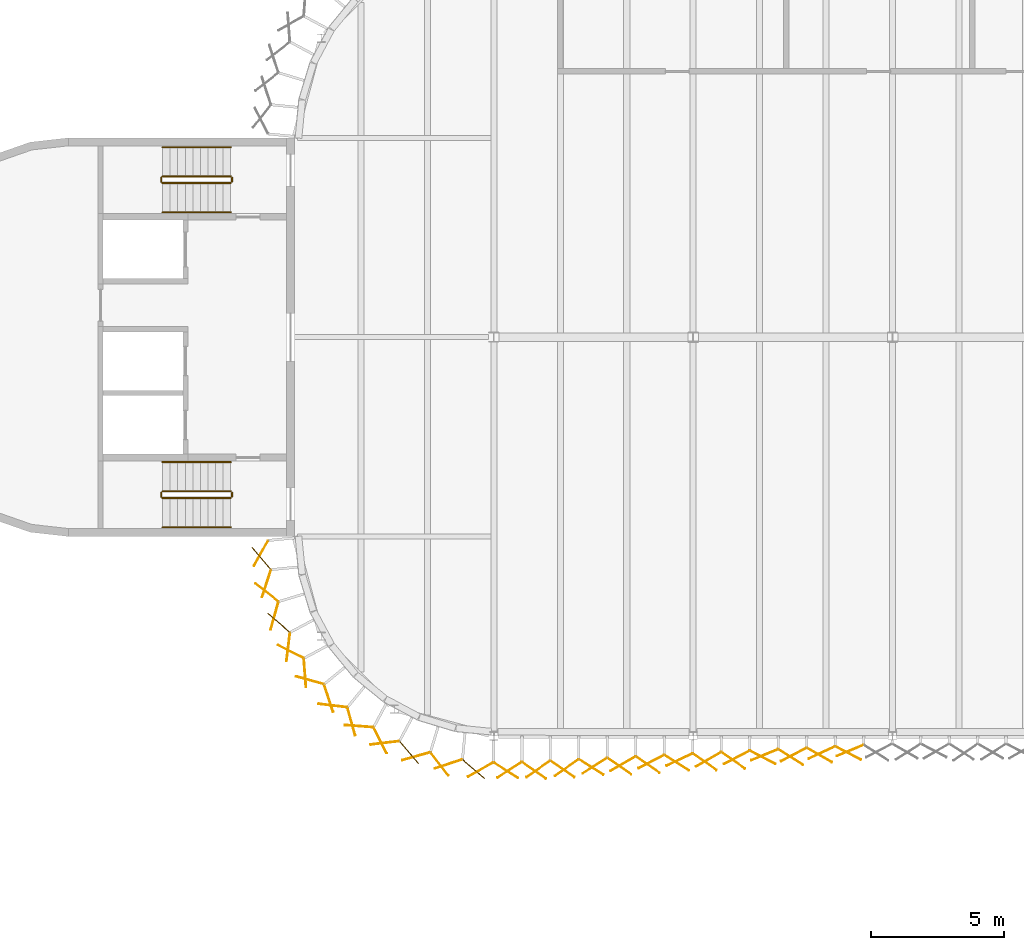
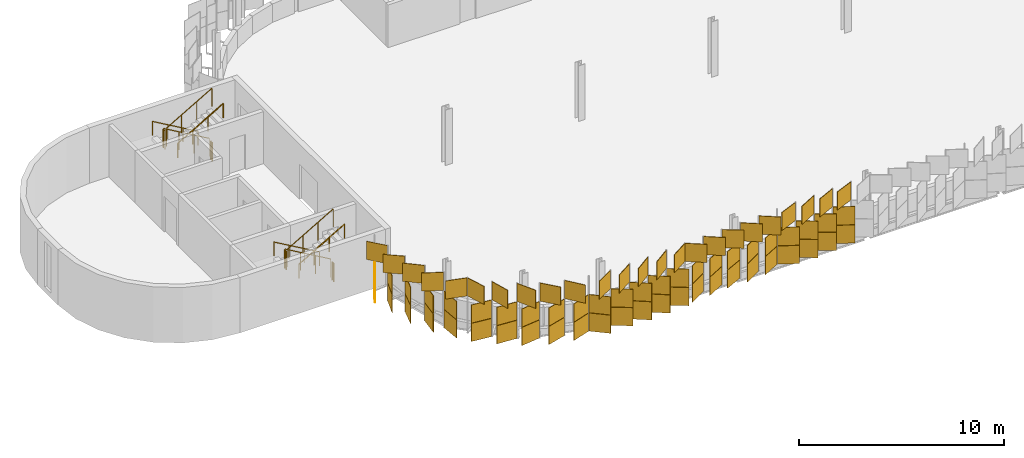
# One storey, part 181 of 198: 72 coverings, 12 railings.
"""IFC4 building model written with IfcOpenShell, lengths in metres."""

from ifc_helpers import new_model, si_unit, direction, frame, origin, origin_2d, place, context, subcontext, project, spatial, rectangle, circle, extrude, material, layer, layer_set, type_object, element, save


model = new_model("IFC4")

# Units and contexts
model_context = context("Model", 3, precision=1e-05, world=origin(), true_north=direction((0.0, 1.0)))
body_context = subcontext(model_context, "Body", "Model", "MODEL_VIEW")
ifc_project = project(units=[si_unit("LENGTHUNIT", "METRE"), si_unit("AREAUNIT", "SQUARE_METRE"), si_unit("VOLUMEUNIT", "CUBIC_METRE"), si_unit("PLANEANGLEUNIT", "RADIAN"), si_unit("MASSUNIT", "GRAM", prefix="KILO")], contexts=[model_context])

# Site, building, storey
site_placement = place(None, origin())
site = spatial("IfcSite", under=ifc_project, at=site_placement, CompositionType="ELEMENT")
building_placement = place(site_placement, origin())
building = spatial("IfcBuilding", under=site, at=building_placement, Name="Parallax Yard Mobility Hub", CompositionType="ELEMENT")
storey_placement = place(building_placement, frame((0.0, 0.0, 6.60009765625)))
storey = spatial("IfcBuildingStorey", under=building, at=storey_placement, Name="L02", CompositionType="ELEMENT", Elevation=6.60009765625)

# Coverings
ifc_material_1 = material(Name="Aluminium panel, champagne finish", Category="aluminium")
ifc_layer_1 = layer(ifc_material_1, 0.030029296875)
ifc_layer_set_1 = layer_set([ifc_layer_1], Name="Skin panel 22.5 degree turn, champagne finish")
covering_type_1 = type_object("IfcCoveringType", Name="Skin panel 22.5 degree turn, champagne finish", PredefinedType="CLADDING", material=ifc_layer_set_1)
for number, where, z_axis, x_axis, name in (
    (1, (40.186279296875, 111.785400390625, 2.219970703125), (0.0, 0.0, 1.0), (-0.923879532511, -0.382683432365, 0.0), "Skin panel 22.5 bay 2.3 row 3 level L02"),
    (2, (43.40087890625, 111.946044921875, 2.219970703125), (0.0, 0.0, 1.0), (-0.923879532511, -0.382683432365, 0.0), "Skin panel 22.5 bay 2.6 row 3 level L02"),
):
    element("IfcCovering", number, at=place(storey_placement, frame(where, z_axis=z_axis, x_axis=x_axis)), inside=storey, type_object=covering_type_1, Name=name, ObjectType="SCREEN", PredefinedType="CLADDING", context=body_context, shape_type="SweptSolid", body=[
        extrude(rectangle(XDim=1.080078125, YDim=0.030029296875, at=origin_2d()), origin(), (0.0, 0.0, 1.0), 1.080078125),
    ])
ifc_layer_2 = layer(ifc_material_1, 0.030029296875)
ifc_layer_set_2 = layer_set([ifc_layer_2], Name="Skin panel 25 degree turn, champagne finish")
covering_type_2 = type_object("IfcCoveringType", Name="Skin panel 25 degree turn, champagne finish", PredefinedType="CLADDING", material=ifc_layer_set_2)
for number, where, z_axis, x_axis, name in (
    (3, (36.981689453125, 111.602294921875, 1.119873046875), (0.0, 0.0, 1.0), (-0.906307787037, -0.422618261741, 0.0), "Skin panel 25 bay 1.7 row 2 level L02"),
    (4, (42.339111328125, 111.8701171875, 2.219970703125), (0.0, 0.0, 1.0), (-0.906307787037, -0.422618261741, 0.0), "Skin panel 25 bay 2.5 row 3 level L02"),
):
    element("IfcCovering", number, at=place(storey_placement, frame(where, z_axis=z_axis, x_axis=x_axis)), inside=storey, type_object=covering_type_2, Name=name, ObjectType="SCREEN", PredefinedType="CLADDING", context=body_context, shape_type="SweptSolid", body=[
        extrude(rectangle(XDim=1.080078125, YDim=0.030029296875, at=origin_2d()), origin(), (0.0, 0.0, 1.0), 1.080078125),
    ])
ifc_material_2 = material(Name="Aluminium panel, light oak finish", Category="aluminium")
ifc_layer_3 = layer(ifc_material_2, 0.030029296875)
ifc_layer_set_3 = layer_set([ifc_layer_3], Name="Skin panel 25 degree turn, oak finish")
covering_type_3 = type_object("IfcCoveringType", Name="Skin panel 25 degree turn, oak finish", PredefinedType="CLADDING", material=ifc_layer_set_3)
covering_placement = place(storey_placement, frame((36.981689453125, 111.602294921875, 0.019775390625), z_axis=(0.0, 0.0, 1.0), x_axis=(-0.906307787037, -0.422618261741, 0.0)))
element("IfcCovering", 5, at=covering_placement, inside=storey, type_object=covering_type_3, Name="Skin panel 25 bay 1.7 row 1 level L02", ObjectType="SCREEN", PredefinedType="CLADDING", context=body_context, shape_type="SweptSolid", body=[
    extrude(rectangle(XDim=1.080078125, YDim=0.030029296875, at=origin_2d()), origin(), (0.0, 0.0, 1.0), 1.080078125),
])
ifc_layer_4 = layer(ifc_material_1, 0.030029296875)
ifc_layer_set_4 = layer_set([ifc_layer_4], Name="Skin panel 27.5 degree turn, champagne finish")
covering_type_4 = type_object("IfcCoveringType", Name="Skin panel 27.5 degree turn, champagne finish", PredefinedType="CLADDING", material=ifc_layer_set_4)
for number, where, z_axis, x_axis, name in (
    (6, (35.9208984375, 111.527099609375, 1.119873046875), (0.0, 0.0, 1.0), (-0.887010833178, -0.461748613235, 0.0), "Skin panel 27.5 bay 1.6 row 2 level L02"),
    (7, (39.13525390625, 111.687744140625, 1.119873046875), (0.0, 0.0, 1.0), (-0.887010833178, -0.461748613235, 0.0), "Skin panel 27.5 bay 2.2 row 2 level L02"),
    (8, (40.122314453125, 111.687744140625, 1.119873046875), (0.0, 0.0, 1.0), (0.887010833178, -0.461748613235, 0.0), "Skin panel 27.5 bay 2.3 row 2 level L02"),
    (9, (41.2783203125, 111.794921875, 2.219970703125), (0.0, 0.0, 1.0), (-0.887010833178, -0.461748613235, 0.0), "Skin panel 27.5 bay 2.4 row 3 level L02"),
    (10, (43.3369140625, 111.848388671875, 1.119873046875), (0.0, 0.0, 1.0), (0.887010833178, -0.461748613235, 0.0), "Skin panel 27.5 bay 2.6 row 2 level L02"),
):
    element("IfcCovering", number, at=place(storey_placement, frame(where, z_axis=z_axis, x_axis=x_axis)), inside=storey, type_object=covering_type_4, Name=name, ObjectType="SCREEN", PredefinedType="CLADDING", context=body_context, shape_type="SweptSolid", body=[
        extrude(rectangle(XDim=1.080078125, YDim=0.030029296875, at=origin_2d()), origin(), (0.0, 0.0, 1.0), 1.080078125),
    ])
ifc_layer_5 = layer(ifc_material_2, 0.030029296875)
ifc_layer_set_5 = layer_set([ifc_layer_5], Name="Skin panel 27.5 degree turn, oak finish")
covering_type_5 = type_object("IfcCoveringType", Name="Skin panel 27.5 degree turn, oak finish", PredefinedType="CLADDING", material=ifc_layer_set_5)
for number, where, z_axis, x_axis, name in (
    (11, (35.9208984375, 111.527099609375, 0.019775390625), (0.0, 0.0, 1.0), (-0.887010833178, -0.461748613235, 0.0), "Skin panel 27.5 bay 1.6 row 1 level L02"),
    (12, (39.13525390625, 111.687744140625, 0.019775390625), (0.0, 0.0, 1.0), (-0.887010833178, -0.461748613235, 0.0), "Skin panel 27.5 bay 2.2 row 1 level L02"),
    (13, (40.122314453125, 111.687744140625, 0.019775390625), (0.0, 0.0, 1.0), (0.887010833178, -0.461748613235, 0.0), "Skin panel 27.5 bay 2.3 row 1 level L02"),
    (14, (43.3369140625, 111.848388671875, 0.019775390625), (0.0, 0.0, 1.0), (0.887010833178, -0.461748613235, 0.0), "Skin panel 27.5 bay 2.6 row 1 level L02"),
):
    element("IfcCovering", number, at=place(storey_placement, frame(where, z_axis=z_axis, x_axis=x_axis)), inside=storey, type_object=covering_type_5, Name=name, ObjectType="SCREEN", PredefinedType="CLADDING", context=body_context, shape_type="SweptSolid", body=[
        extrude(rectangle(XDim=1.080078125, YDim=0.030029296875, at=origin_2d()), origin(), (0.0, 0.0, 1.0), 1.080078125),
    ])
ifc_layer_6 = layer(ifc_material_1, 0.030029296875)
ifc_layer_set_6 = layer_set([ifc_layer_6], Name="Skin panel 30 degree turn, champagne finish")
covering_type_6 = type_object("IfcCoveringType", Name="Skin panel 30 degree turn, champagne finish", PredefinedType="CLADDING", material=ifc_layer_set_6)
for number, where, z_axis, x_axis, name in (
    (15, (34.861083984375, 111.4521484375, 1.119873046875), (0.0, 0.0, 1.0), (-0.866025403784, -0.5, 0.0), "Skin panel 30 bay 1.5 row 2 level L02"),
    (16, (38.075439453125, 111.61279296875, 1.119873046875), (0.0, 0.0, 1.0), (-0.866025403784, -0.5, 0.0), "Skin panel 30 bay 2.1 row 2 level L02"),
    (17, (42.253662109375, 111.773681640625, 1.119873046875), (0.0, 0.0, 1.0), (0.866025403784, -0.5, 0.0), "Skin panel 30 bay 2.5 row 2 level L02"),
):
    element("IfcCovering", number, at=place(storey_placement, frame(where, z_axis=z_axis, x_axis=x_axis)), inside=storey, type_object=covering_type_6, Name=name, ObjectType="SCREEN", PredefinedType="CLADDING", context=body_context, shape_type="SweptSolid", body=[
        extrude(rectangle(XDim=1.080078125, YDim=0.030029296875, at=origin_2d()), origin(), (0.0, 0.0, 1.0), 1.080078125),
    ])
ifc_layer_7 = layer(ifc_material_2, 0.030029296875)
ifc_layer_set_7 = layer_set([ifc_layer_7], Name="Skin panel 30 degree turn, oak finish")
covering_type_7 = type_object("IfcCoveringType", Name="Skin panel 30 degree turn, oak finish", PredefinedType="CLADDING", material=ifc_layer_set_7)
for number, where, z_axis, x_axis, name in (
    (18, (34.861083984375, 111.4521484375, 0.019775390625), (0.0, 0.0, 1.0), (-0.866025403784, -0.5, 0.0), "Skin panel 30 bay 1.5 row 1 level L02"),
    (19, (38.075439453125, 111.61279296875, 0.019775390625), (0.0, 0.0, 1.0), (-0.866025403784, -0.5, 0.0), "Skin panel 30 bay 2.1 row 1 level L02"),
    (20, (42.253662109375, 111.773681640625, 0.019775390625), (0.0, 0.0, 1.0), (0.866025403784, -0.5, 0.0), "Skin panel 30 bay 2.5 row 1 level L02"),
):
    element("IfcCovering", number, at=place(storey_placement, frame(where, z_axis=z_axis, x_axis=x_axis)), inside=storey, type_object=covering_type_7, Name=name, ObjectType="SCREEN", PredefinedType="CLADDING", context=body_context, shape_type="SweptSolid", body=[
        extrude(rectangle(XDim=1.080078125, YDim=0.030029296875, at=origin_2d()), origin(), (0.0, 0.0, 1.0), 1.080078125),
    ])
ifc_layer_8 = layer(ifc_material_1, 0.030029296875)
ifc_layer_set_8 = layer_set([ifc_layer_8], Name="Skin panel 32.5 degree turn, champagne finish")
covering_type_8 = type_object("IfcCoveringType", Name="Skin panel 32.5 degree turn, champagne finish", PredefinedType="CLADDING", material=ifc_layer_set_8)
for number, where, z_axis, x_axis, name in (
    (21, (21.748779296875, 117.013671875, 1.119873046875), (0.0, 0.0, 1.0), (-0.269340053953, -0.963045136708, 0.0), "Skin panel 32.5 bay 72.3 row 2 level L02"),
    (22, (21.909423828125, 116.753662109375, 2.219970703125), (0.0, 0.0, 1.0), (-0.758987281247, 0.651105449912, 0.0), "Skin panel 32.5 bay 72.3 row 3 level L02"),
    (23, (23.93896484375, 113.63818359375, 1.119873046875), (0.0, 0.0, 1.0), (-0.992809667009, 0.119703655305, 0.0), "Skin panel 32.5 bay 72.6 row 2 level L02"),
    (24, (23.7861328125, 113.912109375, 2.219970703125), (0.0, 0.0, 1.0), (0.311091140771, -0.950380082985, 0.0), "Skin panel 32.5 bay 72.6 row 3 level L02"),
    (25, (27.076171875, 111.729736328125, 1.119873046875), (0.0, 0.0, 1.0), (-0.963045136708, -0.269340053953, 0.0), "Skin panel 32.5 bay 72.9 row 2 level L02"),
    (26, (26.811279296875, 111.878662109375, 2.219970703125), (0.0, 0.0, 1.0), (0.651105449912, -0.758987281247, 0.0), "Skin panel 32.5 bay 72.9 row 3 level L02"),
    (27, (30.45458984375, 111.201171875, 1.119873046875), (0.0, 0.0, 1.0), (0.843391445813, -0.537299608347, 0.0), "Skin panel 32.5 bay 1.1 row 2 level L02"),
    (28, (30.58740234375, 111.217041015625, 2.219970703125), (0.0, 0.0, 1.0), (-0.843391445813, -0.537299608347, 0.0), "Skin panel 32.5 bay 1.1 row 3 level L02"),
    (29, (33.6689453125, 111.32421875, 1.119873046875), (0.0, 0.0, 1.0), (0.843391445813, -0.537299608347, 0.0), "Skin panel 32.5 bay 1.4 row 2 level L02"),
    (30, (33.802001953125, 111.3779296875, 2.219970703125), (0.0, 0.0, 1.0), (-0.843391445813, -0.537299608347, 0.0), "Skin panel 32.5 bay 1.4 row 3 level L02"),
    (31, (36.883544921875, 111.485107421875, 2.219970703125), (0.0, 0.0, 1.0), (0.843391445813, -0.537299608347, 0.0), "Skin panel 32.5 bay 1.7 row 3 level L02"),
    (32, (41.16943359375, 111.69921875, 1.119873046875), (0.0, 0.0, 1.0), (0.843391445813, -0.537299608347, 0.0), "Skin panel 32.5 bay 2.4 row 2 level L02"),
):
    element("IfcCovering", number, at=place(storey_placement, frame(where, z_axis=z_axis, x_axis=x_axis)), inside=storey, type_object=covering_type_8, Name=name, ObjectType="SCREEN", PredefinedType="CLADDING", context=body_context, shape_type="SweptSolid", body=[
        extrude(rectangle(XDim=1.080078125, YDim=0.030029296875, at=origin_2d()), origin(), (0.0, 0.0, 1.0), 1.080078125),
    ])
ifc_layer_9 = layer(ifc_material_2, 0.030029296875)
ifc_layer_set_9 = layer_set([ifc_layer_9], Name="Skin panel 32.5 degree turn, oak finish")
covering_type_9 = type_object("IfcCoveringType", Name="Skin panel 32.5 degree turn, oak finish", PredefinedType="CLADDING", material=ifc_layer_set_9)
for number, where, z_axis, x_axis, name in (
    (33, (21.748779296875, 117.013671875, 0.019775390625), (0.0, 0.0, 1.0), (-0.269340053953, -0.963045136708, 0.0), "Skin panel 32.5 bay 72.3 row 1 level L02"),
    (34, (23.93896484375, 113.63818359375, 0.019775390625), (0.0, 0.0, 1.0), (-0.992809667009, 0.119703655305, 0.0), "Skin panel 32.5 bay 72.6 row 1 level L02"),
    (35, (27.076171875, 111.729736328125, 0.019775390625), (0.0, 0.0, 1.0), (-0.963045136708, -0.269340053953, 0.0), "Skin panel 32.5 bay 72.9 row 1 level L02"),
    (36, (30.45458984375, 111.201171875, 0.019775390625), (0.0, 0.0, 1.0), (0.843391445813, -0.537299608347, 0.0), "Skin panel 32.5 bay 1.1 row 1 level L02"),
    (37, (33.6689453125, 111.32421875, 0.019775390625), (0.0, 0.0, 1.0), (0.843391445813, -0.537299608347, 0.0), "Skin panel 32.5 bay 1.4 row 1 level L02"),
    (38, (41.16943359375, 111.69921875, 0.019775390625), (0.0, 0.0, 1.0), (0.843391445813, -0.537299608347, 0.0), "Skin panel 32.5 bay 2.4 row 1 level L02"),
):
    element("IfcCovering", number, at=place(storey_placement, frame(where, z_axis=z_axis, x_axis=x_axis)), inside=storey, type_object=covering_type_9, Name=name, ObjectType="SCREEN", PredefinedType="CLADDING", context=body_context, shape_type="SweptSolid", body=[
        extrude(rectangle(XDim=1.080078125, YDim=0.030029296875, at=origin_2d()), origin(), (0.0, 0.0, 1.0), 1.080078125),
    ])
ifc_layer_10 = layer(ifc_material_1, 0.030029296875)
ifc_layer_set_10 = layer_set([ifc_layer_10], Name="Skin panel 35 degree turn, champagne finish")
covering_type_10 = type_object("IfcCoveringType", Name="Skin panel 35 degree turn, champagne finish", PredefinedType="CLADDING", material=ifc_layer_set_10)
for number, where, z_axis, x_axis, name in (
    (39, (21.23681640625, 119.36669921875, 1.119873046875), (0.0, 0.0, 1.0), (-0.490523568159, -0.87142792535, 0.0), "Skin panel 35 bay 72.1 row 2 level L02"),
    (40, (21.255615234375, 119.175537109375, 2.219970703125), (0.0, 0.0, 1.0), (-0.651105449912, 0.758987281247, 0.0), "Skin panel 35 bay 72.1 row 3 level L02"),
    (41, (21.44482421875, 118.224609375, 1.119873046875), (0.0, 0.0, 1.0), (-0.311091140771, -0.950380082985, 0.0), "Skin panel 35 bay 72.2 row 2 level L02"),
    (42, (21.4609375, 117.892822265625, 2.219970703125), (0.0, 0.0, 1.0), (-0.786665714369, 0.617379181571, 0.0), "Skin panel 35 bay 72.2 row 3 level L02"),
    (43, (22.26513671875, 115.839111328125, 1.119873046875), (0.0, 0.0, 1.0), (-0.119703655305, -0.992809667009, 0.0), "Skin panel 35 bay 72.4 row 2 level L02"),
    (44, (22.355712890625, 115.669677734375, 2.219970703125), (0.0, 0.0, 1.0), (-0.891994856589, 0.452045546177, 0.0), "Skin panel 35 bay 72.4 row 3 level L02"),
    (45, (22.894287109375, 114.86328125, 1.119873046875), (0.0, 0.0, 1.0), (0.076283974504, -0.997086132304, 0.0), "Skin panel 35 bay 72.5 row 2 level L02"),
    (46, (23.077392578125, 114.590576171875, 2.219970703125), (0.0, 0.0, 1.0), (-0.963045136708, 0.269340053953, 0.0), "Skin panel 35 bay 72.5 row 3 level L02"),
    (47, (24.921142578125, 112.863525390625, 1.119873046875), (0.0, 0.0, 1.0), (-0.997086132304, 0.076283974504, 0.0), "Skin panel 35 bay 72.7 row 2 level L02"),
    (48, (24.64111328125, 113.035888671875, 2.219970703125), (0.0, 0.0, 1.0), (0.269340053953, -0.963045136708, 0.0), "Skin panel 35 bay 72.7 row 3 level L02"),
    (49, (25.896728515625, 112.234375, 1.119873046875), (0.0, 0.0, 1.0), (-0.992809667009, -0.119703655305, 0.0), "Skin panel 35 bay 72.8 row 2 level L02"),
    (50, (25.727294921875, 112.324951171875, 2.219970703125), (0.0, 0.0, 1.0), (0.452045546177, -0.891994856589, 0.0), "Skin panel 35 bay 72.8 row 3 level L02"),
    (51, (28.28955078125, 111.4384765625, 1.119873046875), (0.0, 0.0, 1.0), (-0.950380082985, -0.311091140771, 0.0), "Skin panel 35 bay 72.10 row 2 level L02"),
    (52, (27.955322265625, 111.44189453125, 2.219970703125), (0.0, 0.0, 1.0), (0.617379181571, -0.786665714369, 0.0), "Skin panel 35 bay 72.10 row 3 level L02"),
    (53, (29.240478515625, 111.249267578125, 1.119873046875), (0.0, 0.0, 1.0), (0.758987281247, -0.651105449912, 0.0), "Skin panel 35 bay 72.11 row 2 level L02"),
    (54, (29.50048828125, 111.22705078125, 2.219970703125), (0.0, 0.0, 1.0), (-0.87142792535, -0.490523568159, 0.0), "Skin panel 35 bay 72.11 row 3 level L02"),
    (55, (31.512451171875, 111.197021484375, 1.119873046875), (0.0, 0.0, 1.0), (0.819152044289, -0.573576436351, 0.0), "Skin panel 35 bay 1.2 row 2 level L02"),
    (56, (31.672607421875, 111.25048828125, 2.219970703125), (0.0, 0.0, 1.0), (-0.819152044289, -0.573576436351, 0.0), "Skin panel 35 bay 1.2 row 3 level L02"),
    (57, (32.583984375, 111.25048828125, 1.119873046875), (0.0, 0.0, 1.0), (0.819152044289, -0.573576436351, 0.0), "Skin panel 35 bay 1.3 row 2 level L02"),
    (58, (32.743896484375, 111.30419921875, 2.219970703125), (0.0, 0.0, 1.0), (-0.819152044289, -0.573576436351, 0.0), "Skin panel 35 bay 1.3 row 3 level L02"),
    (59, (34.72705078125, 111.357666015625, 2.219970703125), (0.0, 0.0, 1.0), (0.819152044289, -0.573576436351, 0.0), "Skin panel 35 bay 1.5 row 3 level L02"),
    (60, (35.798583984375, 111.4111328125, 2.219970703125), (0.0, 0.0, 1.0), (0.819152044289, -0.573576436351, 0.0), "Skin panel 35 bay 1.6 row 3 level L02"),
    (61, (37.94140625, 111.518310546875, 2.219970703125), (0.0, 0.0, 1.0), (0.819152044289, -0.573576436351, 0.0), "Skin panel 35 bay 2.1 row 3 level L02"),
    (62, (39.012939453125, 111.572021484375, 2.219970703125), (0.0, 0.0, 1.0), (0.819152044289, -0.573576436351, 0.0), "Skin panel 35 bay 2.2 row 3 level L02"),
):
    element("IfcCovering", number, at=place(storey_placement, frame(where, z_axis=z_axis, x_axis=x_axis)), inside=storey, type_object=covering_type_10, Name=name, ObjectType="SCREEN", PredefinedType="CLADDING", context=body_context, shape_type="SweptSolid", body=[
        extrude(rectangle(XDim=1.080078125, YDim=0.030029296875, at=origin_2d()), origin(), (0.0, 0.0, 1.0), 1.080078125),
    ])
ifc_layer_11 = layer(ifc_material_2, 0.030029296875)
ifc_layer_set_11 = layer_set([ifc_layer_11], Name="Skin panel 35 degree turn, oak finish")
covering_type_11 = type_object("IfcCoveringType", Name="Skin panel 35 degree turn, oak finish", PredefinedType="CLADDING", material=ifc_layer_set_11)
for number, where, z_axis, x_axis, name in (
    (63, (21.23681640625, 119.36669921875, 0.019775390625), (0.0, 0.0, 1.0), (-0.490523568159, -0.87142792535, 0.0), "Skin panel 35 bay 72.1 row 1 level L02"),
    (64, (21.44482421875, 118.224609375, 0.019775390625), (0.0, 0.0, 1.0), (-0.311091140771, -0.950380082985, 0.0), "Skin panel 35 bay 72.2 row 1 level L02"),
    (65, (22.26513671875, 115.839111328125, 0.019775390625), (0.0, 0.0, 1.0), (-0.119703655305, -0.992809667009, 0.0), "Skin panel 35 bay 72.4 row 1 level L02"),
    (66, (22.894287109375, 114.86328125, 0.019775390625), (0.0, 0.0, 1.0), (0.076283974504, -0.997086132304, 0.0), "Skin panel 35 bay 72.5 row 1 level L02"),
    (67, (24.921142578125, 112.863525390625, 0.019775390625), (0.0, 0.0, 1.0), (-0.997086132304, 0.076283974504, 0.0), "Skin panel 35 bay 72.7 row 1 level L02"),
    (68, (25.896728515625, 112.234375, 0.019775390625), (0.0, 0.0, 1.0), (-0.992809667009, -0.119703655305, 0.0), "Skin panel 35 bay 72.8 row 1 level L02"),
    (69, (28.28955078125, 111.4384765625, 0.019775390625), (0.0, 0.0, 1.0), (-0.950380082985, -0.311091140771, 0.0), "Skin panel 35 bay 72.10 row 1 level L02"),
    (70, (29.240478515625, 111.249267578125, 0.019775390625), (0.0, 0.0, 1.0), (0.758987281247, -0.651105449912, 0.0), "Skin panel 35 bay 72.11 row 1 level L02"),
    (71, (31.512451171875, 111.197021484375, 0.019775390625), (0.0, 0.0, 1.0), (0.819152044289, -0.573576436351, 0.0), "Skin panel 35 bay 1.2 row 1 level L02"),
    (72, (32.583984375, 111.25048828125, 0.019775390625), (0.0, 0.0, 1.0), (0.819152044289, -0.573576436351, 0.0), "Skin panel 35 bay 1.3 row 1 level L02"),
):
    element("IfcCovering", number, at=place(storey_placement, frame(where, z_axis=z_axis, x_axis=x_axis)), inside=storey, type_object=covering_type_11, Name=name, ObjectType="SCREEN", PredefinedType="CLADDING", context=body_context, shape_type="SweptSolid", body=[
        extrude(rectangle(XDim=1.080078125, YDim=0.030029296875, at=origin_2d()), origin(), (0.0, 0.0, 1.0), 1.080078125),
    ])

# Railings
ifc_material_3 = material(Name="Steel ASTM A36", Category="steel")
railing_type_1 = type_object("IfcRailingType", Name="Stair guard 1100", PredefinedType="GUARDRAIL", material=ifc_material_3)
railing_1_placement = place(storey_placement, frame((20.10009765625, 121.699951171875, 0.164794921875)))
element("IfcRailing", 73, at=railing_1_placement, inside=storey, type_object=railing_type_1, Name="L02 ST1 stair guard 1", PredefinedType="GUARDRAIL", context=body_context, shape_type="SweptSolid", body=[
    extrude(circle(Radius=0.02392578125, at=origin_2d()), frame((0.0, 0.0, 1.076171875), z_axis=(-0.865426285481, 0.0, 0.501036270542), x_axis=(0.0, -1.0, 0.0)), (0.0, 0.0, 1.0), 2.964111328125),
    extrude(circle(Radius=0.02099609375, at=origin_2d()), origin(), (0.0, 0.0, 1.0), 1.052001953125),
    extrude(circle(Radius=0.02099609375, at=origin_2d()), frame((-0.85498046875, 0.0, 0.4951171875)), (0.0, 0.0, 1.0), 1.052001953125),
    extrude(circle(Radius=0.02099609375, at=origin_2d()), frame((-1.710205078125, 0.0, 0.989990234375)), (0.0, 0.0, 1.0), 1.052001953125),
    extrude(circle(Radius=0.02099609375, at=origin_2d()), frame((-2.565185546875, 0.0, 1.485107421875)), (0.0, 0.0, 1.0), 1.052001953125),
])
railing_2_placement = place(storey_placement, frame((17.485107421875, 121.64990234375, 1.64990234375)))
element("IfcRailing", 74, at=railing_2_placement, inside=storey, type_object=railing_type_1, Name="L02 ST1 stair guard 2", PredefinedType="GUARDRAIL", context=body_context, shape_type="SweptSolid", body=[
    extrude(circle(Radius=0.02392578125, at=origin_2d()), frame((0.0, 0.0, 1.076171875), z_axis=(0.0, -1.0, 0.0), x_axis=(1.0, 0.0, 0.0)), (0.0, 0.0, 1.0), 0.14990234375),
    extrude(circle(Radius=0.02099609375, at=origin_2d()), origin(), (0.0, 0.0, 1.0), 1.052001953125),
    extrude(circle(Radius=0.02099609375, at=origin_2d()), frame((0.0, -0.14990234375, 0.0)), (0.0, 0.0, 1.0), 1.052001953125),
])
railing_3_placement = place(storey_placement, frame((17.534912109375, 121.449951171875, 1.81494140625)))
element("IfcRailing", 75, at=railing_3_placement, inside=storey, type_object=railing_type_1, Name="L02 ST1 stair guard 3", PredefinedType="GUARDRAIL", context=body_context, shape_type="SweptSolid", body=[
    extrude(circle(Radius=0.02392578125, at=origin_2d()), frame((0.0, 0.0, 1.076171875), z_axis=(0.865461999751, 0.0, 0.500974577186), x_axis=(0.0, 1.0, 0.0)), (0.0, 0.0, 1.0), 2.9638671875),
    extrude(circle(Radius=0.02099609375, at=origin_2d()), origin(), (0.0, 0.0, 1.0), 1.052001953125),
    extrude(circle(Radius=0.02099609375, at=origin_2d()), frame((0.85498046875, 0.0, 0.494873046875)), (0.0, 0.0, 1.0), 1.052001953125),
    extrude(circle(Radius=0.02099609375, at=origin_2d()), frame((1.710205078125, 0.0, 0.989990234375)), (0.0, 0.0, 1.0), 1.052001953125),
    extrude(circle(Radius=0.02099609375, at=origin_2d()), frame((2.565185546875, 0.0, 1.48486328125)), (0.0, 0.0, 1.0), 1.052001953125),
])
railing_4_placement = place(storey_placement, frame((20.14990234375, 121.64990234375, 0.0)))
element("IfcRailing", 76, at=railing_4_placement, inside=storey, type_object=railing_type_1, Name="L02 ST1 stair guard 4", PredefinedType="GUARDRAIL", context=body_context, shape_type="SweptSolid", body=[
    extrude(circle(Radius=0.02392578125, at=origin_2d()), frame((0.0, 0.0, 1.076171875), z_axis=(0.0, -1.0, 0.0), x_axis=(1.0, 0.0, 0.0)), (0.0, 0.0, 1.0), 0.14990234375),
    extrude(circle(Radius=0.02099609375, at=origin_2d()), origin(), (0.0, 0.0, 1.0), 1.052001953125),
    extrude(circle(Radius=0.02099609375, at=origin_2d()), frame((0.0, -0.14990234375, 0.0)), (0.0, 0.0, 1.0), 1.052001953125),
])
railing_5_placement = place(storey_placement, frame((20.10009765625, 133.550048828125, 0.164794921875)))
element("IfcRailing", 77, at=railing_5_placement, inside=storey, type_object=railing_type_1, Name="L02 ST2 stair guard 1", PredefinedType="GUARDRAIL", context=body_context, shape_type="SweptSolid", body=[
    extrude(circle(Radius=0.02392578125, at=origin_2d()), frame((0.0, 0.0, 1.076171875), z_axis=(-0.865426285481, 0.0, 0.501036270542), x_axis=(0.0, -1.0, 0.0)), (0.0, 0.0, 1.0), 2.964111328125),
    extrude(circle(Radius=0.02099609375, at=origin_2d()), origin(), (0.0, 0.0, 1.0), 1.052001953125),
    extrude(circle(Radius=0.02099609375, at=origin_2d()), frame((-0.85498046875, 0.0, 0.4951171875)), (0.0, 0.0, 1.0), 1.052001953125),
    extrude(circle(Radius=0.02099609375, at=origin_2d()), frame((-1.710205078125, 0.0, 0.989990234375)), (0.0, 0.0, 1.0), 1.052001953125),
    extrude(circle(Radius=0.02099609375, at=origin_2d()), frame((-2.565185546875, 0.0, 1.485107421875)), (0.0, 0.0, 1.0), 1.052001953125),
])
railing_6_placement = place(storey_placement, frame((17.485107421875, 133.5, 1.64990234375)))
element("IfcRailing", 78, at=railing_6_placement, inside=storey, type_object=railing_type_1, Name="L02 ST2 stair guard 2", PredefinedType="GUARDRAIL", context=body_context, shape_type="SweptSolid", body=[
    extrude(circle(Radius=0.02392578125, at=origin_2d()), frame((0.0, 0.0, 1.076171875), z_axis=(0.0, -1.0, 0.0), x_axis=(1.0, 0.0, 0.0)), (0.0, 0.0, 1.0), 0.14990234375),
    extrude(circle(Radius=0.02099609375, at=origin_2d()), origin(), (0.0, 0.0, 1.0), 1.052001953125),
    extrude(circle(Radius=0.02099609375, at=origin_2d()), frame((0.0, -0.14990234375, 0.0)), (0.0, 0.0, 1.0), 1.052001953125),
])
railing_7_placement = place(storey_placement, frame((17.534912109375, 133.300048828125, 1.81494140625)))
element("IfcRailing", 79, at=railing_7_placement, inside=storey, type_object=railing_type_1, Name="L02 ST2 stair guard 3", PredefinedType="GUARDRAIL", context=body_context, shape_type="SweptSolid", body=[
    extrude(circle(Radius=0.02392578125, at=origin_2d()), frame((0.0, 0.0, 1.076171875), z_axis=(0.865461999751, 0.0, 0.500974577186), x_axis=(0.0, 1.0, 0.0)), (0.0, 0.0, 1.0), 2.9638671875),
    extrude(circle(Radius=0.02099609375, at=origin_2d()), origin(), (0.0, 0.0, 1.0), 1.052001953125),
    extrude(circle(Radius=0.02099609375, at=origin_2d()), frame((0.85498046875, 0.0, 0.494873046875)), (0.0, 0.0, 1.0), 1.052001953125),
    extrude(circle(Radius=0.02099609375, at=origin_2d()), frame((1.710205078125, 0.0, 0.989990234375)), (0.0, 0.0, 1.0), 1.052001953125),
    extrude(circle(Radius=0.02099609375, at=origin_2d()), frame((2.565185546875, 0.0, 1.48486328125)), (0.0, 0.0, 1.0), 1.052001953125),
])
railing_8_placement = place(storey_placement, frame((20.14990234375, 133.5, 0.0)))
element("IfcRailing", 80, at=railing_8_placement, inside=storey, type_object=railing_type_1, Name="L02 ST2 stair guard 4", PredefinedType="GUARDRAIL", context=body_context, shape_type="SweptSolid", body=[
    extrude(circle(Radius=0.02392578125, at=origin_2d()), frame((0.0, 0.0, 1.076171875), z_axis=(0.0, -1.0, 0.0), x_axis=(1.0, 0.0, 0.0)), (0.0, 0.0, 1.0), 0.14990234375),
    extrude(circle(Radius=0.02099609375, at=origin_2d()), origin(), (0.0, 0.0, 1.0), 1.052001953125),
    extrude(circle(Radius=0.02099609375, at=origin_2d()), frame((0.0, -0.14990234375, 0.0)), (0.0, 0.0, 1.0), 1.052001953125),
])
railing_type_2 = type_object("IfcRailingType", Name="Stair handrail", PredefinedType="HANDRAIL", material=ifc_material_3)
railing_9_placement = place(storey_placement, frame((20.10009765625, 122.800048828125, 0.164794921875)))
element("IfcRailing", 81, at=railing_9_placement, inside=storey, type_object=railing_type_2, Name="L02 ST1 stair handrail 1", PredefinedType="HANDRAIL", context=body_context, shape_type="SweptSolid", body=[
    extrude(circle(Radius=0.02392578125, at=origin_2d()), frame((0.0, 0.0, 0.8310546875), z_axis=(-0.865426285481, 0.0, 0.501036270542), x_axis=(0.0, -1.0, 0.0)), (0.0, 0.0, 1.0), 2.964111328125),
    extrude(circle(Radius=0.02099609375, at=origin_2d()), origin(), (0.0, 0.0, 1.0), 0.806884765625),
    extrude(circle(Radius=0.02099609375, at=origin_2d()), frame((-0.85498046875, 0.0, 0.4951171875)), (0.0, 0.0, 1.0), 0.806884765625),
    extrude(circle(Radius=0.02099609375, at=origin_2d()), frame((-1.710205078125, 0.0, 0.989990234375)), (0.0, 0.0, 1.0), 0.806884765625),
    extrude(circle(Radius=0.02099609375, at=origin_2d()), frame((-2.565185546875, 0.0, 1.485107421875)), (0.0, 0.0, 1.0), 0.806884765625),
])
railing_10_placement = place(storey_placement, frame((17.534912109375, 120.35009765625, 1.81494140625)))
element("IfcRailing", 82, at=railing_10_placement, inside=storey, type_object=railing_type_2, Name="L02 ST1 stair handrail 2", PredefinedType="HANDRAIL", context=body_context, shape_type="SweptSolid", body=[
    extrude(circle(Radius=0.02392578125, at=origin_2d()), frame((0.0, 0.0, 0.8310546875), z_axis=(0.865461999751, 0.0, 0.500974577186), x_axis=(0.0, 1.0, 0.0)), (0.0, 0.0, 1.0), 2.9638671875),
    extrude(circle(Radius=0.02099609375, at=origin_2d()), origin(), (0.0, 0.0, 1.0), 0.806884765625),
    extrude(circle(Radius=0.02099609375, at=origin_2d()), frame((0.85498046875, 0.0, 0.494873046875)), (0.0, 0.0, 1.0), 0.806884765625),
    extrude(circle(Radius=0.02099609375, at=origin_2d()), frame((1.710205078125, 0.0, 0.989990234375)), (0.0, 0.0, 1.0), 0.806884765625),
    extrude(circle(Radius=0.02099609375, at=origin_2d()), frame((2.565185546875, 0.0, 1.48486328125)), (0.0, 0.0, 1.0), 0.806884765625),
])
railing_11_placement = place(storey_placement, frame((20.10009765625, 134.64990234375, 0.164794921875)))
element("IfcRailing", 83, at=railing_11_placement, inside=storey, type_object=railing_type_2, Name="L02 ST2 stair handrail 1", PredefinedType="HANDRAIL", context=body_context, shape_type="SweptSolid", body=[
    extrude(circle(Radius=0.02392578125, at=origin_2d()), frame((0.0, 0.0, 0.8310546875), z_axis=(-0.865426285481, 0.0, 0.501036270542), x_axis=(0.0, -1.0, 0.0)), (0.0, 0.0, 1.0), 2.964111328125),
    extrude(circle(Radius=0.02099609375, at=origin_2d()), origin(), (0.0, 0.0, 1.0), 0.806884765625),
    extrude(circle(Radius=0.02099609375, at=origin_2d()), frame((-0.85498046875, 0.0, 0.4951171875)), (0.0, 0.0, 1.0), 0.806884765625),
    extrude(circle(Radius=0.02099609375, at=origin_2d()), frame((-1.710205078125, 0.0, 0.989990234375)), (0.0, 0.0, 1.0), 0.806884765625),
    extrude(circle(Radius=0.02099609375, at=origin_2d()), frame((-2.565185546875, 0.0, 1.485107421875)), (0.0, 0.0, 1.0), 0.806884765625),
])
railing_12_placement = place(storey_placement, frame((17.534912109375, 132.199951171875, 1.81494140625)))
element("IfcRailing", 84, at=railing_12_placement, inside=storey, type_object=railing_type_2, Name="L02 ST2 stair handrail 2", PredefinedType="HANDRAIL", context=body_context, shape_type="SweptSolid", body=[
    extrude(circle(Radius=0.02392578125, at=origin_2d()), frame((0.0, 0.0, 0.8310546875), z_axis=(0.865461999751, 0.0, 0.500974577186), x_axis=(0.0, 1.0, 0.0)), (0.0, 0.0, 1.0), 2.9638671875),
    extrude(circle(Radius=0.02099609375, at=origin_2d()), origin(), (0.0, 0.0, 1.0), 0.806884765625),
    extrude(circle(Radius=0.02099609375, at=origin_2d()), frame((0.85498046875, 0.0, 0.494873046875)), (0.0, 0.0, 1.0), 0.806884765625),
    extrude(circle(Radius=0.02099609375, at=origin_2d()), frame((1.710205078125, 0.0, 0.989990234375)), (0.0, 0.0, 1.0), 0.806884765625),
    extrude(circle(Radius=0.02099609375, at=origin_2d()), frame((2.565185546875, 0.0, 1.48486328125)), (0.0, 0.0, 1.0), 0.806884765625),
])

save(model, "model.ifc")
